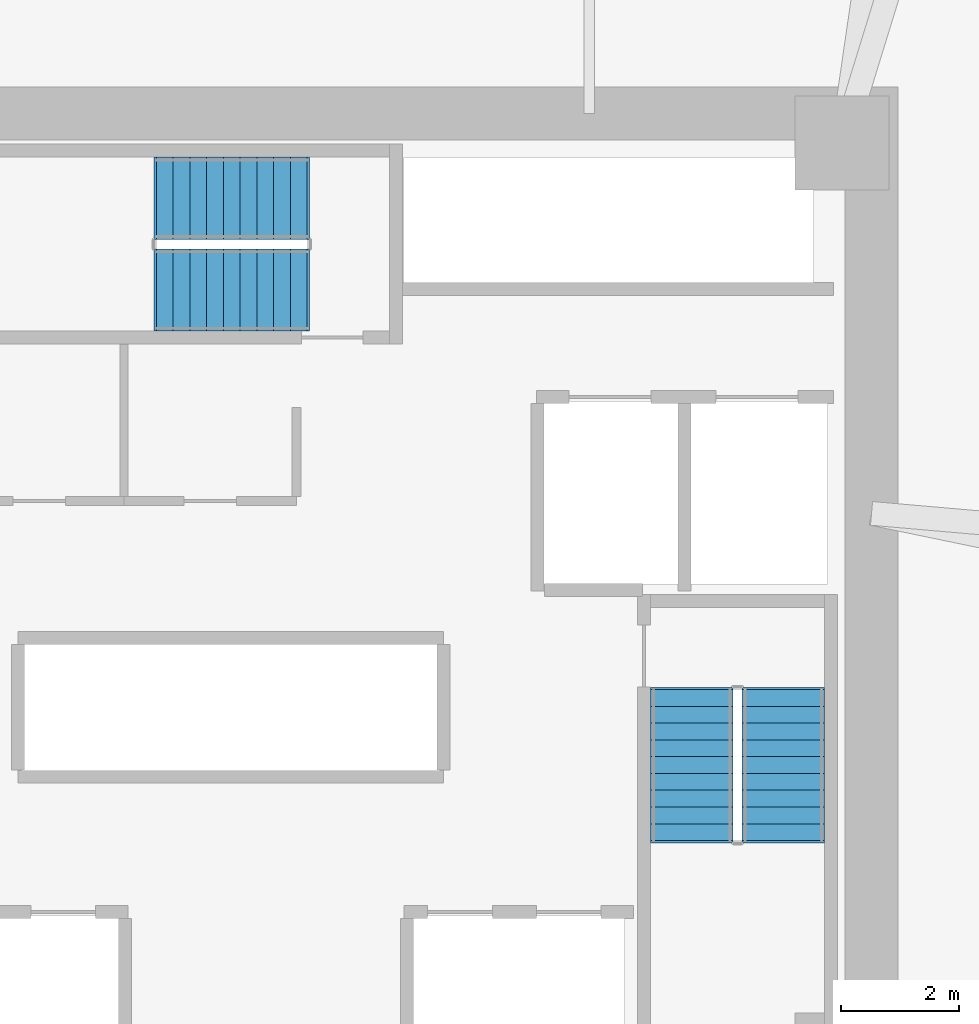
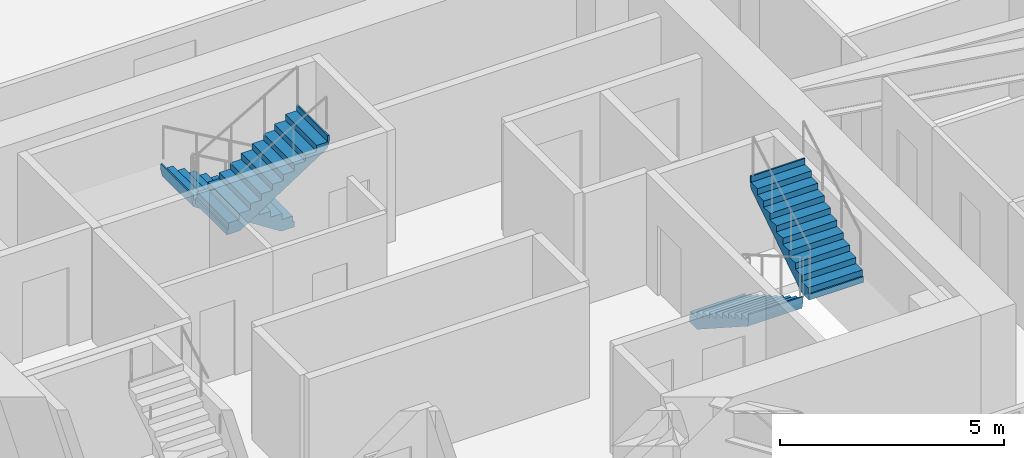
# One storey, part 14 of 15: 4 stair flights, 2 elements without a shape of their own.
"""IFC4 building model written with IfcOpenShell, lengths in metres."""

from ifc_helpers import new_model, si_unit, direction, frame, origin, place, context, subcontext, project, spatial, polyline, outline, extrude, material, type_object, element, aggregate, save


model = new_model("IFC4")

# Units and contexts
model_context = context("Model", 3, precision=1e-05, world=origin(), true_north=direction((0.0, 1.0)))
body_context = subcontext(model_context, "Body", "Model", "MODEL_VIEW")
ifc_project = project(units=[si_unit("LENGTHUNIT", "METRE"), si_unit("AREAUNIT", "SQUARE_METRE"), si_unit("VOLUMEUNIT", "CUBIC_METRE"), si_unit("PLANEANGLEUNIT", "RADIAN"), si_unit("MASSUNIT", "GRAM", prefix="KILO")], contexts=[model_context])

# Site, building, storey
site_placement = place(None, origin())
site = spatial("IfcSite", under=ifc_project, at=site_placement, CompositionType="ELEMENT")
building_placement = place(site_placement, origin())
building = spatial("IfcBuilding", under=site, at=building_placement, Name="Durnholm Broadcast Tower", CompositionType="ELEMENT")
storey_placement = place(building_placement, frame((0.0, 0.0, 62.10009765625)))
storey = spatial("IfcBuildingStorey", under=building, at=storey_placement, Name="L15", CompositionType="ELEMENT", Elevation=62.10009765625)

# Stair, stair flights
ifc_material = material(Name="Concrete C50/60", Category="concrete")
stair_type = type_object("IfcStairType", Name="STAIR-DL-20R1650", PredefinedType="HALF_TURN_STAIR", material=ifc_material)
stair_1_placement = place(storey_placement, origin())
stair_1 = element("IfcStair", 1, at=stair_1_placement, inside=storey, type_object=stair_type, Name="L15 ST-2", PredefinedType="HALF_TURN_STAIR")
stair_flight_type = type_object("IfcStairFlightType", Name="FLIGHT-DL-20R1650", PredefinedType="STRAIGHT", material=ifc_material)
stair_flight_1_placement = place(storey_placement, frame((7.239990234375, -1.5, 0.0), z_axis=(0.0, 0.0, 1.0), x_axis=(0.0, -1.0, 0.0)))
stair_flight_1 = element("IfcStairFlight", 2, at=stair_flight_1_placement, type_object=stair_flight_type, Name="ST-2 flight 1", NumberOfRisers=10, NumberOfTreads=9, PredefinedType="STRAIGHT", RiserHeight=0.165, TreadLength=0.285, context=body_context, shape_type="SweptSolid", body=[
    extrude(outline(polyline([(-0.0400390625, -0.14990234375), (-0.0400390625, 0.0), (0.0, 0.0), (0.0, 0.1650390625), (0.284912109375, 0.1650390625), (0.284912109375, 0.330078125), (0.570068359375, 0.330078125), (0.570068359375, 0.4951171875), (0.85498046875, 0.4951171875), (0.85498046875, 0.659912109375), (1.139892578125, 0.659912109375), (1.139892578125, 0.824951171875), (1.425048828125, 0.824951171875), (1.425048828125, 0.989990234375), (1.7099609375, 0.989990234375), (1.7099609375, 1.155029296875), (1.9951171875, 1.155029296875), (1.9951171875, 1.320068359375), (2.280029296875, 1.320068359375), (2.280029296875, 1.485107421875), (2.56494140625, 1.485107421875), (2.56494140625, 1.64990234375), (2.60498046875, 1.64990234375), (2.60498046875, 1.5), (2.56494140625, 1.311767578125), (0.299072265625, -0.14990234375), (-0.0400390625, -0.14990234375)])), frame((0.0, 0.699951171875, 0.0), z_axis=(0.0, -1.0, 0.0), x_axis=(1.0, 0.0, 0.0)), (0.0, 0.0, 1.0), 1.39990234375),
])
stair_flight_2_placement = place(storey_placement, frame((8.800048828125, -4.06494140625, 1.64990234375), z_axis=(0.0, 0.0, 1.0), x_axis=(0.0, 1.0, 0.0)))
stair_flight_2 = element("IfcStairFlight", 3, at=stair_flight_2_placement, type_object=stair_flight_type, Name="ST-2 flight 2", NumberOfRisers=10, NumberOfTreads=9, PredefinedType="STRAIGHT", RiserHeight=0.165, TreadLength=0.285, context=body_context, shape_type="SweptSolid", body=[
    extrude(outline(polyline([(-0.0400390625, -0.14990234375), (-0.0400390625, 0.0), (0.0, 0.0), (0.0, 0.1650390625), (0.284912109375, 0.1650390625), (0.284912109375, 0.330078125), (0.570068359375, 0.330078125), (0.570068359375, 0.4951171875), (0.85498046875, 0.4951171875), (0.85498046875, 0.659912109375), (1.139892578125, 0.659912109375), (1.139892578125, 0.824951171875), (1.425048828125, 0.824951171875), (1.425048828125, 0.989990234375), (1.7099609375, 0.989990234375), (1.7099609375, 1.155029296875), (1.9951171875, 1.155029296875), (1.9951171875, 1.320068359375), (2.280029296875, 1.320068359375), (2.280029296875, 1.485107421875), (2.56494140625, 1.485107421875), (2.56494140625, 1.64990234375), (2.60498046875, 1.64990234375), (2.60498046875, 1.5), (2.56494140625, 1.311767578125), (0.299072265625, -0.14990234375), (-0.0400390625, -0.14990234375)])), frame((0.0, 0.699951171875, 0.0), z_axis=(0.0, -1.0, 0.0), x_axis=(1.0, 0.0, 0.0)), (0.0, 0.0, 1.0), 1.39990234375),
])
aggregate(stair_1, [stair_flight_1, stair_flight_2])

stair_2_placement = place(storey_placement, origin())
stair_2 = element("IfcStair", 4, at=stair_2_placement, inside=storey, type_object=stair_type, Name="L15 ST-3", PredefinedType="HALF_TURN_STAIR")
stair_flight_3_placement = place(storey_placement, frame((0.699951171875, 6.860107421875, 0.0), z_axis=(0.0, 0.0, 1.0), x_axis=(-1.0, 0.0, 0.0)))
stair_flight_3 = element("IfcStairFlight", 5, at=stair_flight_3_placement, type_object=stair_flight_type, Name="ST-3 flight 1", NumberOfRisers=10, NumberOfTreads=9, PredefinedType="STRAIGHT", RiserHeight=0.165, TreadLength=0.285, context=body_context, shape_type="SweptSolid", body=[
    extrude(outline(polyline([(-0.0400390625, -0.14990234375), (-0.0400390625, 0.0), (0.0, 0.0), (0.0, 0.1650390625), (0.284912109375, 0.1650390625), (0.284912109375, 0.330078125), (0.570068359375, 0.330078125), (0.570068359375, 0.4951171875), (0.85498046875, 0.4951171875), (0.85498046875, 0.659912109375), (1.139892578125, 0.659912109375), (1.139892578125, 0.824951171875), (1.425048828125, 0.824951171875), (1.425048828125, 0.989990234375), (1.7099609375, 0.989990234375), (1.7099609375, 1.155029296875), (1.9951171875, 1.155029296875), (1.9951171875, 1.320068359375), (2.280029296875, 1.320068359375), (2.280029296875, 1.485107421875), (2.56494140625, 1.485107421875), (2.56494140625, 1.64990234375), (2.60498046875, 1.64990234375), (2.60498046875, 1.5), (2.56494140625, 1.311767578125), (0.299072265625, -0.14990234375), (-0.0400390625, -0.14990234375)])), frame((0.0, 0.699951171875, 0.0), z_axis=(0.0, -1.0, 0.0), x_axis=(1.0, 0.0, 0.0)), (0.0, 0.0, 1.0), 1.39990234375),
])
stair_flight_4_placement = place(storey_placement, frame((-1.864990234375, 5.300048828125, 1.64990234375), z_axis=(0.0, 0.0, 1.0), x_axis=(1.0, 0.0, 0.0)))
stair_flight_4 = element("IfcStairFlight", 6, at=stair_flight_4_placement, type_object=stair_flight_type, Name="ST-3 flight 2", NumberOfRisers=10, NumberOfTreads=9, PredefinedType="STRAIGHT", RiserHeight=0.165, TreadLength=0.285, context=body_context, shape_type="SweptSolid", body=[
    extrude(outline(polyline([(-0.0400390625, -0.14990234375), (-0.0400390625, 0.0), (0.0, 0.0), (0.0, 0.1650390625), (0.284912109375, 0.1650390625), (0.284912109375, 0.330078125), (0.570068359375, 0.330078125), (0.570068359375, 0.4951171875), (0.85498046875, 0.4951171875), (0.85498046875, 0.659912109375), (1.139892578125, 0.659912109375), (1.139892578125, 0.824951171875), (1.425048828125, 0.824951171875), (1.425048828125, 0.989990234375), (1.7099609375, 0.989990234375), (1.7099609375, 1.155029296875), (1.9951171875, 1.155029296875), (1.9951171875, 1.320068359375), (2.280029296875, 1.320068359375), (2.280029296875, 1.485107421875), (2.56494140625, 1.485107421875), (2.56494140625, 1.64990234375), (2.60498046875, 1.64990234375), (2.60498046875, 1.5), (2.56494140625, 1.311767578125), (0.299072265625, -0.14990234375), (-0.0400390625, -0.14990234375)])), frame((0.0, 0.699951171875, 0.0), z_axis=(0.0, -1.0, 0.0), x_axis=(1.0, 0.0, 0.0)), (0.0, 0.0, 1.0), 1.39990234375),
])
aggregate(stair_2, [stair_flight_3, stair_flight_4])

save(model, "model.ifc")
